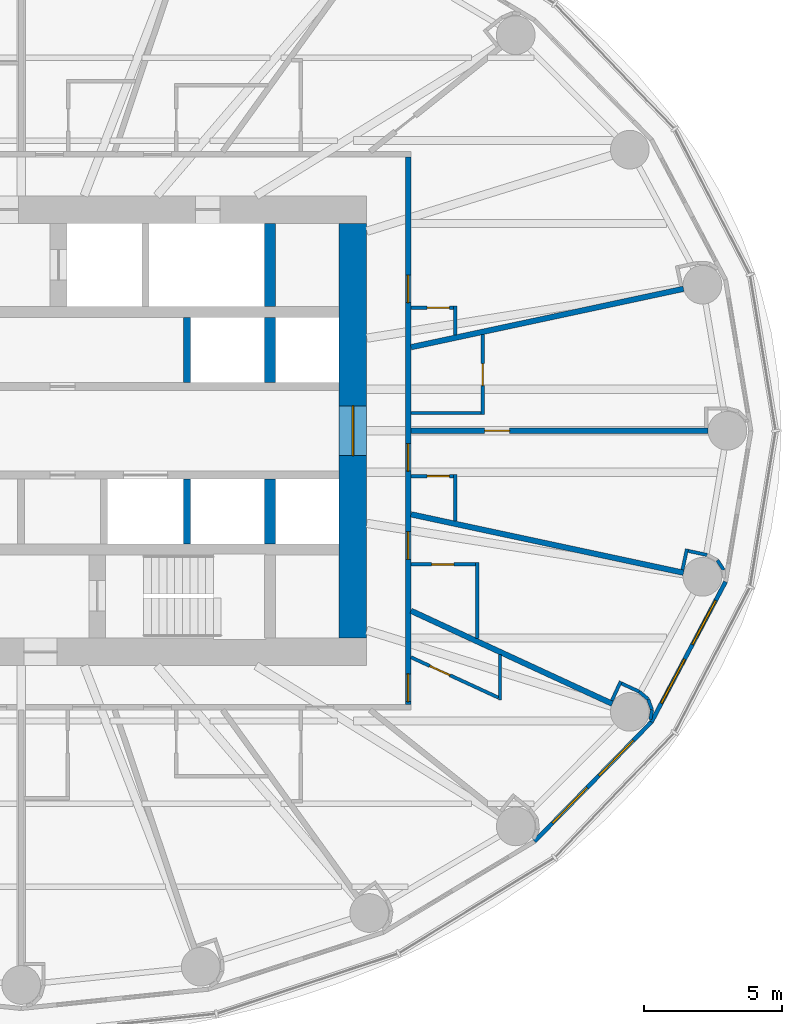
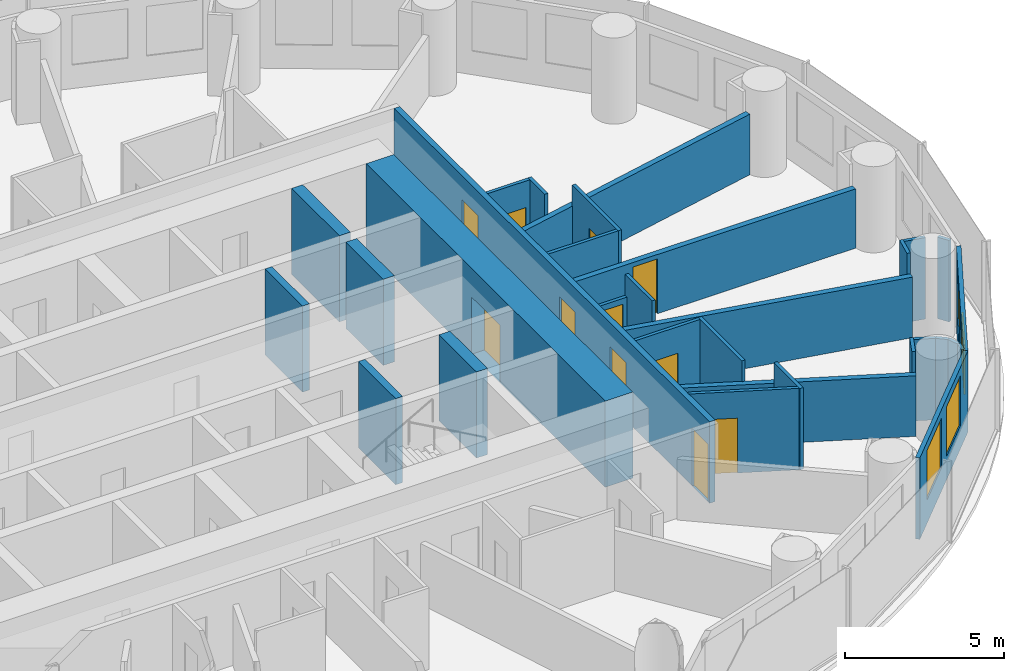
# One storey, part 10 of 14: 31 walls, 11 doors, 4 windows, 15 openings.
"""IFC4 building model written with IfcOpenShell, lengths in metres."""

from ifc_helpers import new_model, si_unit, direction, frame, frame_2d, origin, place, context, subcontext, project, spatial, rectangle, extrude, material, layer, layer_set, type_object, element, fill, save


model = new_model("IFC4")

# Units and contexts
model_context = context("Model", 3, precision=1e-05, world=origin(), true_north=direction((0.0, 1.0)))
body_context = subcontext(model_context, "Body", "Model", "MODEL_VIEW")
ifc_project = project(units=[si_unit("LENGTHUNIT", "METRE"), si_unit("AREAUNIT", "SQUARE_METRE"), si_unit("VOLUMEUNIT", "CUBIC_METRE"), si_unit("PLANEANGLEUNIT", "RADIAN"), si_unit("MASSUNIT", "GRAM", prefix="KILO")], contexts=[model_context])

# Site, building, storey
site_placement = place(None, origin())
site = spatial("IfcSite", under=ifc_project, at=site_placement, CompositionType="ELEMENT")
building_placement = place(site_placement, origin())
building = spatial("IfcBuilding", under=site, at=building_placement, Name="Hankou Lantern Tower", CompositionType="ELEMENT")
storey_placement = place(building_placement, frame((0.0, 0.0, 67.199951171875)))
storey = spatial("IfcBuildingStorey", under=building, at=storey_placement, Name="L16", CompositionType="ELEMENT", Elevation=67.199951171875)

# Wall, opening, door
ifc_material_1 = material(Name="Concrete C60", Category="concrete")
ifc_layer_1 = layer(ifc_material_1, 1.0)
ifc_layer_set_1 = layer_set([ifc_layer_1], Name="Concrete C60")
wall_type_1 = type_object("IfcWallType", Name="CW1 CORE WALL 1000", PredefinedType="SHEAR", material=ifc_layer_set_1)
wall_1_placement = place(storey_placement, frame((12.0, -7.5, 0.0), z_axis=(0.0, 0.0, 1.0), x_axis=(0.0, 1.0, 0.0)))
wall_1 = element("IfcWall", 1, at=wall_1_placement, inside=storey, type_object=wall_type_1, Name="Core wall east L16", PredefinedType="SHEAR", context=body_context, shape_type="SweptSolid", body=[
    extrude(rectangle(XDim=15.0, YDim=1.0, at=frame_2d((7.5, 0.0))), origin(), (0.0, 0.0, 1.0), 3.300048828125),
])
opening_1_placement = place(wall_1_placement, frame((6.60009765625, 0.0, 0.0)))
opening_1 = element("IfcOpeningElement", 2, at=opening_1_placement, cuts=wall_1, Name="Opening D6", PredefinedType="OPENING", context=body_context, shape_type="SweptSolid", body=[
    extrude(rectangle(XDim=1.800048828125, YDim=2.199951171875, at=frame_2d((0.89990234375, 1.10009765625))), frame((0.0, 0.510009765625, 0.0), z_axis=(0.0, -1.0, 0.0), x_axis=(1.0, 0.0, 0.0)), (0.0, 0.0, 1.0), 1.02001953125),
])
ifc_material_2 = material(Name="Steel door leaf", Category="steel")
door_type_1 = type_object("IfcDoorType", Name="D6 LIFT LOBBY DOOR 1800X2200", OperationType="DOUBLE_DOOR_DOUBLE_SWING", PredefinedType="DOOR", material=ifc_material_2)
door_1_placement = place(opening_1_placement, origin())
door_1 = element("IfcDoor", 3, at=door_1_placement, inside=storey, type_object=door_type_1, Name="Lift lobby east door", OperationType="DOUBLE_DOOR_DOUBLE_SWING", OverallHeight=2.199951171875, OverallWidth=1.800048828125, PredefinedType="DOOR", context=body_context, shape_type="SweptSolid", body=[
    extrude(rectangle(XDim=1.800048828125, YDim=2.199951171875, at=frame_2d((0.89990234375, 1.10009765625))), frame((0.0, 0.02490234375, 0.0), z_axis=(0.0, -1.0, 0.0), x_axis=(1.0, 0.0, 0.0)), (0.0, 0.0, 1.0), 0.050048828125),
])
fill(opening_1, door_1)

# Walls
ifc_material_3 = material(Name="Concrete C60", Category="concrete")
ifc_layer_2 = layer(ifc_material_3, 0.39990234375)
ifc_layer_set_2 = layer_set([ifc_layer_2], Name="Concrete C60")
wall_type_2 = type_object("IfcWallType", Name="CW4 CORE CROSS WALL 400", PredefinedType="SHEAR", material=ifc_layer_set_2)
wall_2_placement = place(storey_placement, frame((9.0, 4.5, 0.0), z_axis=(0.0, 0.0, 1.0), x_axis=(0.0, 1.0, 0.0)))
element("IfcWall", 4, at=wall_2_placement, inside=storey, type_object=wall_type_2, Name="Core strip wall L16", PredefinedType="SHEAR", context=body_context, shape_type="SweptSolid", body=[
    extrude(rectangle(XDim=3.0, YDim=0.39990234375, at=frame_2d((1.5, 0.0))), origin(), (0.0, 0.0, 1.0), 3.300048828125),
])
for number, where, z_axis, x_axis, name in (
    (5, (9.0, 1.75, 0.0), (0.0, 0.0, 1.0), (0.0, 1.0, 0.0), "Core strip wall L16"),
    (6, (9.0, -4.10009765625, 0.0), (0.0, 0.0, 1.0), (0.0, 1.0, 0.0), "Core strip wall L16"),
):
    element("IfcWall", number, at=place(storey_placement, frame(where, z_axis=z_axis, x_axis=x_axis)), inside=storey, type_object=wall_type_2, Name=name, PredefinedType="SHEAR", context=body_context, shape_type="SweptSolid", body=[
        extrude(rectangle(XDim=2.35009765625, YDim=0.39990234375, at=frame_2d((1.175048828125, 0.0))), origin(), (0.0, 0.0, 1.0), 3.300048828125),
    ])

# Wall, openings, windows
ifc_material_4 = material(Name="Aluminium spandrel panel on steel studs", Category="steel")
ifc_layer_3 = layer(ifc_material_4, 0.14990234375)
ifc_layer_set_3 = layer_set([ifc_layer_3], Name="Aluminium spandrel panel on steel studs")
wall_type_3 = type_object("IfcWallType", Name="EW1 INNER SKIN WALL 150", PredefinedType="ELEMENTEDWALL", material=ifc_layer_set_3)
wall_3_placement = place(storey_placement, frame((18.569580078125, -14.855712890625, 0.0), z_axis=(0.0, 0.0, 1.0), x_axis=(0.699602905915, 0.714531856557, 0.0)))
wall_3 = element("IfcWall", 7, at=wall_3_placement, inside=storey, type_object=wall_type_3, Name="Inner skin R22-R23 L16", PredefinedType="ELEMENTEDWALL", context=body_context, shape_type="SweptSolid", body=[
    extrude(rectangle(XDim=6.05078125, YDim=0.14990234375, at=frame_2d((3.025390625, 0.0))), origin(), (0.0, 0.0, 1.0), 3.1201171875),
])
opening_2_placement = place(wall_3_placement, frame((0.925537109375, 0.0, 0.89990234375)))
opening_2 = element("IfcOpeningElement", 8, at=opening_2_placement, cuts=wall_3, Name="Opening W1", PredefinedType="OPENING", context=body_context, shape_type="SweptSolid", body=[
    extrude(rectangle(XDim=1.800048828125, YDim=1.89990234375, at=frame_2d((0.89990234375, 0.949951171875))), frame((0.0, 0.0849609375, 0.0), z_axis=(0.0, -1.0, 0.0), x_axis=(1.0, 0.0, 0.0)), (0.0, 0.0, 1.0), 0.169921875),
])
opening_3_placement = place(wall_3_placement, frame((3.325439453125, 0.0, 0.89990234375)))
opening_3 = element("IfcOpeningElement", 9, at=opening_3_placement, cuts=wall_3, Name="Opening W1", PredefinedType="OPENING", context=body_context, shape_type="SweptSolid", body=[
    extrude(rectangle(XDim=1.800048828125, YDim=1.89990234375, at=frame_2d((0.89990234375, 0.949951171875))), frame((0.0, 0.0849609375, 0.0), z_axis=(0.0, -1.0, 0.0), x_axis=(1.0, 0.0, 0.0)), (0.0, 0.0, 1.0), 0.169921875),
])
ifc_material_5 = material(Name="Aluminium framed double glazed window", Category="aluminium")
window_type = type_object("IfcWindowType", Name="W1 GUEST ROOM WINDOW 1800X1900", PartitioningType="DOUBLE_PANEL_VERTICAL", PredefinedType="WINDOW", material=ifc_material_5)
window_1_placement = place(opening_2_placement, origin())
window_1 = element("IfcWindow", 10, at=window_1_placement, inside=storey, type_object=window_type, Name="Window R22.1 L16", OverallHeight=1.89990234375, OverallWidth=1.800048828125, PartitioningType="SINGLE_PANEL", PredefinedType="WINDOW", context=body_context, shape_type="SweptSolid", body=[
    extrude(rectangle(XDim=1.800048828125, YDim=1.89990234375, at=frame_2d((0.89990234375, 0.949951171875))), frame((0.0, 0.030029296875, 0.0), z_axis=(0.0, -1.0, 0.0), x_axis=(1.0, 0.0, 0.0)), (0.0, 0.0, 1.0), 0.06005859375),
])
fill(opening_2, window_1)
window_2_placement = place(opening_3_placement, origin())
window_2 = element("IfcWindow", 11, at=window_2_placement, inside=storey, type_object=window_type, Name="Window R22.2 L16", OverallHeight=1.89990234375, OverallWidth=1.800048828125, PartitioningType="SINGLE_PANEL", PredefinedType="WINDOW", context=body_context, shape_type="SweptSolid", body=[
    extrude(rectangle(XDim=1.800048828125, YDim=1.89990234375, at=frame_2d((0.89990234375, 0.949951171875))), frame((0.0, 0.030029296875, 0.0), z_axis=(0.0, -1.0, 0.0), x_axis=(1.0, 0.0, 0.0)), (0.0, 0.0, 1.0), 0.06005859375),
])
fill(opening_3, window_2)

wall_4_placement = place(storey_placement, frame((22.802734375, -10.5322265625, 0.0), z_axis=(0.0, 0.0, 1.0), x_axis=(0.467296867008, 0.884100468321, 0.0)))
wall_4 = element("IfcWall", 12, at=wall_4_placement, inside=storey, type_object=wall_type_3, Name="Inner skin R23-R24 L16", PredefinedType="ELEMENTEDWALL", context=body_context, shape_type="SweptSolid", body=[
    extrude(rectangle(XDim=5.734375, YDim=0.14990234375, at=frame_2d((2.8671875, 0.0))), origin(), (0.0, 0.0, 1.0), 3.1201171875),
])
opening_4_placement = place(wall_4_placement, frame((0.76708984375, 0.0, 0.89990234375)))
opening_4 = element("IfcOpeningElement", 13, at=opening_4_placement, cuts=wall_4, Name="Opening W1", PredefinedType="OPENING", context=body_context, shape_type="SweptSolid", body=[
    extrude(rectangle(XDim=1.800048828125, YDim=1.89990234375, at=frame_2d((0.89990234375, 0.949951171875))), frame((0.0, 0.0849609375, 0.0), z_axis=(0.0, -1.0, 0.0), x_axis=(1.0, 0.0, 0.0)), (0.0, 0.0, 1.0), 0.169921875),
])
opening_5_placement = place(wall_4_placement, frame((3.167236328125, 0.0, 0.89990234375)))
opening_5 = element("IfcOpeningElement", 14, at=opening_5_placement, cuts=wall_4, Name="Opening W1", PredefinedType="OPENING", context=body_context, shape_type="SweptSolid", body=[
    extrude(rectangle(XDim=1.800048828125, YDim=1.89990234375, at=frame_2d((0.89990234375, 0.949951171875))), frame((0.0, 0.0849609375, 0.0), z_axis=(0.0, -1.0, 0.0), x_axis=(1.0, 0.0, 0.0)), (0.0, 0.0, 1.0), 0.169921875),
])
window_3_placement = place(opening_4_placement, origin())
window_3 = element("IfcWindow", 15, at=window_3_placement, inside=storey, type_object=window_type, Name="Window R23.1 L16", OverallHeight=1.89990234375, OverallWidth=1.800048828125, PartitioningType="SINGLE_PANEL", PredefinedType="WINDOW", context=body_context, shape_type="SweptSolid", body=[
    extrude(rectangle(XDim=1.800048828125, YDim=1.89990234375, at=frame_2d((0.89990234375, 0.949951171875))), frame((0.0, 0.030029296875, 0.0), z_axis=(0.0, -1.0, 0.0), x_axis=(1.0, 0.0, 0.0)), (0.0, 0.0, 1.0), 0.06005859375),
])
fill(opening_4, window_3)
window_4_placement = place(opening_5_placement, origin())
window_4 = element("IfcWindow", 16, at=window_4_placement, inside=storey, type_object=window_type, Name="Window R23.2 L16", OverallHeight=1.89990234375, OverallWidth=1.800048828125, PartitioningType="SINGLE_PANEL", PredefinedType="WINDOW", context=body_context, shape_type="SweptSolid", body=[
    extrude(rectangle(XDim=1.800048828125, YDim=1.89990234375, at=frame_2d((0.89990234375, 0.949951171875))), frame((0.0, 0.030029296875, 0.0), z_axis=(0.0, -1.0, 0.0), x_axis=(1.0, 0.0, 0.0)), (0.0, 0.0, 1.0), 0.06005859375),
])
fill(opening_5, window_4)

# Walls
ifc_material_6 = material(Name="Masonry lightweight concrete block", Category="masonry")
ifc_layer_4 = layer(ifc_material_6, 0.199951171875)
ifc_layer_set_4 = layer_set([ifc_layer_4], Name="Masonry lightweight concrete block")
wall_type_4 = type_object("IfcWallType", Name="IW1 GUEST ROOM PARTY WALL 200", PredefinedType="PARTITIONING", material=ifc_layer_set_4)
wall_5_placement = place(storey_placement, frame((14.10009765625, 3.0224609375, 0.0), z_axis=(0.0, 0.0, 1.0), x_axis=(0.977790014929, 0.209586943072, 0.0)))
element("IfcWall", 17, at=wall_5_placement, inside=storey, type_object=wall_type_4, Name="Party wall R02", PredefinedType="PARTITIONING", context=body_context, shape_type="SweptSolid", body=[
    extrude(rectangle(XDim=10.086669921875, YDim=0.199951171875, at=frame_2d((5.04345703125, 0.0))), origin(), (0.0, 0.0, 1.0), 2.320068359375),
])
wall_6_placement = place(storey_placement, frame((14.10009765625, -6.512451171875, 0.0), z_axis=(0.0, 0.0, 1.0), x_axis=(0.907832871056, -0.419332181247, 0.0)))
element("IfcWall", 18, at=wall_6_placement, inside=storey, type_object=wall_type_4, Name="Party wall R23", PredefinedType="PARTITIONING", context=body_context, shape_type="SweptSolid", body=[
    extrude(rectangle(XDim=8.02294921875, YDim=0.199951171875, at=frame_2d((4.011474609375, 0.0))), origin(), (0.0, 0.0, 1.0), 2.320068359375),
])
wall_7_placement = place(storey_placement, frame((14.10009765625, -3.0224609375, 0.0), z_axis=(0.0, 0.0, 1.0), x_axis=(0.977790014929, -0.209586943072, 0.0)))
element("IfcWall", 19, at=wall_7_placement, inside=storey, type_object=wall_type_4, Name="Party wall R24", PredefinedType="PARTITIONING", context=body_context, shape_type="SweptSolid", body=[
    extrude(rectangle(XDim=10.086669921875, YDim=0.199951171875, at=frame_2d((5.04345703125, 0.0))), origin(), (0.0, 0.0, 1.0), 2.320068359375),
])

# Wall, openings, doors
ifc_material_7 = material(Name="Masonry lightweight concrete block", Category="masonry")
ifc_layer_5 = layer(ifc_material_7, 0.199951171875)
ifc_layer_set_5 = layer_set([ifc_layer_5], Name="Masonry lightweight concrete block")
wall_type_5 = type_object("IfcWallType", Name="IW2 CORRIDOR WALL 200", PredefinedType="PARTITIONING", material=ifc_layer_set_5)
wall_8_placement = place(storey_placement, frame((14.0, -9.89990234375, 0.0), z_axis=(0.0, 0.0, 1.0), x_axis=(0.0, 1.0, 0.0)))
wall_8 = element("IfcWall", 20, at=wall_8_placement, inside=storey, type_object=wall_type_5, Name="Corridor wall east", PredefinedType="PARTITIONING", context=body_context, shape_type="SweptSolid", body=[
    extrude(rectangle(XDim=19.7998046875, YDim=0.199951171875, at=frame_2d((9.89990234375, 0.0))), origin(), (0.0, 0.0, 1.0), 3.1201171875),
])
opening_6_placement = place(wall_8_placement, frame((0.1025390625, 0.0, 0.0)))
opening_6 = element("IfcOpeningElement", 21, at=opening_6_placement, cuts=wall_8, Name="Opening D1", PredefinedType="OPENING", context=body_context, shape_type="SweptSolid", body=[
    extrude(rectangle(XDim=1.0, YDim=2.199951171875, at=frame_2d((0.5, 1.10009765625))), frame((0.0, 0.10986328125, 0.0), z_axis=(0.0, -1.0, 0.0), x_axis=(1.0, 0.0, 0.0)), (0.0, 0.0, 1.0), 0.219970703125),
])
opening_7_placement = place(wall_8_placement, frame((5.24755859375, 0.0, 0.0)))
opening_7 = element("IfcOpeningElement", 22, at=opening_7_placement, cuts=wall_8, Name="Opening D1", PredefinedType="OPENING", context=body_context, shape_type="SweptSolid", body=[
    extrude(rectangle(XDim=1.0, YDim=2.199951171875, at=frame_2d((0.5, 1.10009765625))), frame((0.0, 0.10986328125, 0.0), z_axis=(0.0, -1.0, 0.0), x_axis=(1.0, 0.0, 0.0)), (0.0, 0.0, 1.0), 0.219970703125),
])
opening_8_placement = place(wall_8_placement, frame((8.4375, 0.0, 0.0)))
opening_8 = element("IfcOpeningElement", 23, at=opening_8_placement, cuts=wall_8, Name="Opening D2", PredefinedType="OPENING", context=body_context, shape_type="SweptSolid", body=[
    extrude(rectangle(XDim=1.0, YDim=2.199951171875, at=frame_2d((0.5, 1.10009765625))), frame((0.0, 0.10986328125, 0.0), z_axis=(0.0, -1.0, 0.0), x_axis=(1.0, 0.0, 0.0)), (0.0, 0.0, 1.0), 0.219970703125),
])
opening_9_placement = place(wall_8_placement, frame((14.532470703125, 0.0, 0.0)))
opening_9 = element("IfcOpeningElement", 24, at=opening_9_placement, cuts=wall_8, Name="Opening D2", PredefinedType="OPENING", context=body_context, shape_type="SweptSolid", body=[
    extrude(rectangle(XDim=1.0, YDim=2.199951171875, at=frame_2d((0.5, 1.10009765625))), frame((0.0, 0.10986328125, 0.0), z_axis=(0.0, -1.0, 0.0), x_axis=(1.0, 0.0, 0.0)), (0.0, 0.0, 1.0), 0.219970703125),
])
ifc_material_8 = material(Name="Steel door leaf", Category="steel")
door_type_2 = type_object("IfcDoorType", Name="D1 GUEST ROOM DOOR 1000X2200", OperationType="SINGLE_SWING_LEFT", PredefinedType="DOOR", material=ifc_material_8)
door_2_placement = place(opening_6_placement, origin())
door_2 = element("IfcDoor", 25, at=door_2_placement, inside=storey, type_object=door_type_2, Name="Guest room door 1601", OperationType="SINGLE_SWING_LEFT", OverallHeight=2.199951171875, OverallWidth=1.0, PredefinedType="DOOR", context=body_context, shape_type="SweptSolid", body=[
    extrude(rectangle(XDim=1.0, YDim=2.199951171875, at=frame_2d((0.5, 1.10009765625))), frame((0.0, 0.02490234375, 0.0), z_axis=(0.0, -1.0, 0.0), x_axis=(1.0, 0.0, 0.0)), (0.0, 0.0, 1.0), 0.050048828125),
])
fill(opening_6, door_2)
door_3_placement = place(opening_7_placement, origin())
door_3 = element("IfcDoor", 26, at=door_3_placement, inside=storey, type_object=door_type_2, Name="Guest room door 1602", OperationType="SINGLE_SWING_LEFT", OverallHeight=2.199951171875, OverallWidth=1.0, PredefinedType="DOOR", context=body_context, shape_type="SweptSolid", body=[
    extrude(rectangle(XDim=1.0, YDim=2.199951171875, at=frame_2d((0.5, 1.10009765625))), frame((0.0, 0.02490234375, 0.0), z_axis=(0.0, -1.0, 0.0), x_axis=(1.0, 0.0, 0.0)), (0.0, 0.0, 1.0), 0.050048828125),
])
fill(opening_7, door_3)
ifc_material_9 = material(Name="Steel door leaf", Category="steel")
door_type_3 = type_object("IfcDoorType", Name="D2 SUITE DOOR 1000X2200", OperationType="SINGLE_SWING_LEFT", PredefinedType="DOOR", material=ifc_material_9)
door_4_placement = place(opening_8_placement, origin())
door_4 = element("IfcDoor", 27, at=door_4_placement, inside=storey, type_object=door_type_3, Name="Suite door 1603C", OperationType="SINGLE_SWING_LEFT", OverallHeight=2.199951171875, OverallWidth=1.0, PredefinedType="DOOR", context=body_context, shape_type="SweptSolid", body=[
    extrude(rectangle(XDim=1.0, YDim=2.199951171875, at=frame_2d((0.5, 1.10009765625))), frame((0.0, 0.02490234375, 0.0), z_axis=(0.0, -1.0, 0.0), x_axis=(1.0, 0.0, 0.0)), (0.0, 0.0, 1.0), 0.050048828125),
])
fill(opening_8, door_4)
door_5_placement = place(opening_9_placement, origin())
door_5 = element("IfcDoor", 28, at=door_5_placement, inside=storey, type_object=door_type_3, Name="Suite door 1604C", OperationType="SINGLE_SWING_RIGHT", OverallHeight=2.199951171875, OverallWidth=1.0, PredefinedType="DOOR", context=body_context, shape_type="SweptSolid", body=[
    extrude(rectangle(XDim=1.0, YDim=2.199951171875, at=frame_2d((0.5, 1.10009765625))), frame((0.0, 0.02490234375, 0.0), z_axis=(0.0, -1.0, 0.0), x_axis=(1.0, 0.0, 0.0)), (0.0, 0.0, 1.0), 0.050048828125),
])
fill(opening_9, door_5)

# Wall
ifc_material_10 = material(Name="Masonry lightweight concrete block", Category="masonry")
ifc_layer_6 = layer(ifc_material_10, 0.1201171875)
ifc_layer_set_6 = layer_set([ifc_layer_6], Name="Masonry lightweight concrete block")
wall_type_6 = type_object("IfcWallType", Name="IW3 BATHROOM WALL 120", PredefinedType="PARTITIONING", material=ifc_layer_set_6)
wall_9_placement = place(storey_placement, frame((17.32275390625, -8.10107421875, 0.0), z_axis=(0.0, 0.0, 1.0), x_axis=(0.0, -1.0, 0.0)))
element("IfcWall", 29, at=wall_9_placement, inside=storey, type_object=wall_type_6, Name="Box wall 1601 1", PredefinedType="PARTITIONING", context=body_context, shape_type="SweptSolid", body=[
    extrude(rectangle(XDim=1.639892578125, YDim=0.1201171875, at=frame_2d((0.81982421875, 0.0))), origin(), (0.0, 0.0, 1.0), 3.1201171875),
])

# Wall, opening, door
wall_10_placement = place(storey_placement, frame((14.10009765625, -8.192626953125, 0.0), z_axis=(0.0, 0.0, 1.0), x_axis=(0.907836493557, -0.419324338628, 0.0)))
wall_10 = element("IfcWall", 30, at=wall_10_placement, inside=storey, type_object=wall_type_6, Name="Box wall 1601 1", PredefinedType="PARTITIONING", context=body_context, shape_type="SweptSolid", body=[
    extrude(rectangle(XDim=3.48974609375, YDim=0.1201171875, at=frame_2d((1.744873046875, 0.0))), origin(), (0.0, 0.0, 1.0), 3.1201171875),
])
opening_10_placement = place(wall_10_placement, frame((0.75, 0.0, 0.0)))
opening_10 = element("IfcOpeningElement", 31, at=opening_10_placement, cuts=wall_10, Name="Opening D3", PredefinedType="OPENING", context=body_context, shape_type="SweptSolid", body=[
    extrude(rectangle(XDim=0.800048828125, YDim=2.10009765625, at=frame_2d((0.39990234375, 1.050048828125))), frame((0.0, 0.070068359375, 0.0), z_axis=(0.0, -1.0, 0.0), x_axis=(1.0, 0.0, 0.0)), (0.0, 0.0, 1.0), 0.14013671875),
])
ifc_material_11 = material(Name="Timber door leaf", Category="wood")
door_type_4 = type_object("IfcDoorType", Name="D3 BATHROOM DOOR 800X2100", OperationType="SINGLE_SWING_LEFT", PredefinedType="DOOR", material=ifc_material_11)
door_6_placement = place(opening_10_placement, origin())
door_6 = element("IfcDoor", 32, at=door_6_placement, inside=storey, type_object=door_type_4, Name="En-suite bathroom 1601 door", OperationType="SINGLE_SWING_LEFT", OverallHeight=2.10009765625, OverallWidth=0.800048828125, PredefinedType="DOOR", context=body_context, shape_type="SweptSolid", body=[
    extrude(rectangle(XDim=0.800048828125, YDim=2.10009765625, at=frame_2d((0.39990234375, 1.050048828125))), frame((0.0, 0.02490234375, 0.0), z_axis=(0.0, -1.0, 0.0), x_axis=(1.0, 0.0, 0.0)), (0.0, 0.0, 1.0), 0.050048828125),
])
fill(opening_10, door_6)

# Wall
wall_11_placement = place(storey_placement, frame((16.5, -7.52099609375, 0.0), z_axis=(0.0, 0.0, 1.0), x_axis=(0.0, 1.0, 0.0)))
element("IfcWall", 33, at=wall_11_placement, inside=storey, type_object=wall_type_6, Name="Box wall 1602 1", PredefinedType="PARTITIONING", context=body_context, shape_type="SweptSolid", body=[
    extrude(rectangle(XDim=2.74853515625, YDim=0.1201171875, at=frame_2d((1.374267578125, 0.0))), origin(), (0.0, 0.0, 1.0), 3.1201171875),
])

# Wall, opening, door
wall_12_placement = place(storey_placement, frame((14.10009765625, -4.83251953125, 0.0), z_axis=(0.0, 0.0, 1.0), x_axis=(1.0, 0.0, 0.0)))
wall_12 = element("IfcWall", 34, at=wall_12_placement, inside=storey, type_object=wall_type_6, Name="Box wall 1602 1", PredefinedType="PARTITIONING", context=body_context, shape_type="SweptSolid", body=[
    extrude(rectangle(XDim=2.33984375, YDim=0.1201171875, at=frame_2d((1.169921875, 0.0))), origin(), (0.0, 0.0, 1.0), 3.1201171875),
])
opening_11_placement = place(wall_12_placement, frame((0.75, 0.0, 0.0)))
opening_11 = element("IfcOpeningElement", 35, at=opening_11_placement, cuts=wall_12, Name="Opening D3", PredefinedType="OPENING", context=body_context, shape_type="SweptSolid", body=[
    extrude(rectangle(XDim=0.800048828125, YDim=2.10009765625, at=frame_2d((0.39990234375, 1.050048828125))), frame((0.0, 0.070068359375, 0.0), z_axis=(0.0, -1.0, 0.0), x_axis=(1.0, 0.0, 0.0)), (0.0, 0.0, 1.0), 0.14013671875),
])
door_7_placement = place(opening_11_placement, origin())
door_7 = element("IfcDoor", 36, at=door_7_placement, inside=storey, type_object=door_type_4, Name="En-suite bathroom 1602 door", OperationType="SINGLE_SWING_LEFT", OverallHeight=2.10009765625, OverallWidth=0.800048828125, PredefinedType="DOOR", context=body_context, shape_type="SweptSolid", body=[
    extrude(rectangle(XDim=0.800048828125, YDim=2.10009765625, at=frame_2d((0.39990234375, 1.050048828125))), frame((0.0, 0.02490234375, 0.0), z_axis=(0.0, -1.0, 0.0), x_axis=(1.0, 0.0, 0.0)), (0.0, 0.0, 1.0), 0.050048828125),
])
fill(opening_11, door_7)

# Wall
wall_13_placement = place(storey_placement, frame((15.699951171875, -3.265380859375, 0.0), z_axis=(0.0, 0.0, 1.0), x_axis=(0.0, 1.0, 0.0)))
element("IfcWall", 37, at=wall_13_placement, inside=storey, type_object=wall_type_6, Name="Box wall 1603C 1", PredefinedType="PARTITIONING", context=body_context, shape_type="SweptSolid", body=[
    extrude(rectangle(XDim=1.682861328125, YDim=0.1201171875, at=frame_2d((0.84130859375, 0.0))), origin(), (0.0, 0.0, 1.0), 3.1201171875),
])

# Wall, opening, door
wall_14_placement = place(storey_placement, frame((14.10009765625, -1.642578125, 0.0), z_axis=(0.0, 0.0, 1.0), x_axis=(1.0, 0.0, 0.0)))
wall_14 = element("IfcWall", 38, at=wall_14_placement, inside=storey, type_object=wall_type_6, Name="Box wall 1603C 1", PredefinedType="PARTITIONING", context=body_context, shape_type="SweptSolid", body=[
    extrude(rectangle(XDim=1.539794921875, YDim=0.1201171875, at=frame_2d((0.77001953125, 0.0))), origin(), (0.0, 0.0, 1.0), 2.320068359375),
])
opening_12_placement = place(wall_14_placement, frame((0.590087890625, 0.0, 0.0)))
opening_12 = element("IfcOpeningElement", 39, at=opening_12_placement, cuts=wall_14, Name="Opening D3", PredefinedType="OPENING", context=body_context, shape_type="SweptSolid", body=[
    extrude(rectangle(XDim=0.800048828125, YDim=2.10009765625, at=frame_2d((0.39990234375, 1.050048828125))), frame((0.0, 0.070068359375, 0.0), z_axis=(0.0, -1.0, 0.0), x_axis=(1.0, 0.0, 0.0)), (0.0, 0.0, 1.0), 0.14013671875),
])
door_8_placement = place(opening_12_placement, origin())
door_8 = element("IfcDoor", 40, at=door_8_placement, inside=storey, type_object=door_type_4, Name="Suite 1603 guest WC door", OperationType="SINGLE_SWING_LEFT", OverallHeight=2.10009765625, OverallWidth=0.800048828125, PredefinedType="DOOR", context=body_context, shape_type="SweptSolid", body=[
    extrude(rectangle(XDim=0.800048828125, YDim=2.10009765625, at=frame_2d((0.39990234375, 1.050048828125))), frame((0.0, 0.02490234375, 0.0), z_axis=(0.0, -1.0, 0.0), x_axis=(1.0, 0.0, 0.0)), (0.0, 0.0, 1.0), 0.050048828125),
])
fill(opening_12, door_8)

wall_15_placement = place(storey_placement, frame((16.699951171875, 3.479736328125, 0.0), z_axis=(0.0, 0.0, 1.0), x_axis=(0.0, -1.0, 0.0)))
wall_15 = element("IfcWall", 41, at=wall_15_placement, inside=storey, type_object=wall_type_6, Name="Box wall 1603A 1", PredefinedType="PARTITIONING", context=body_context, shape_type="SweptSolid", body=[
    extrude(rectangle(XDim=2.897216796875, YDim=0.1201171875, at=frame_2d((1.44873046875, 0.0))), origin(), (0.0, 0.0, 1.0), 3.1201171875),
])
opening_13_placement = place(wall_15_placement, frame((1.048583984375, 0.0, 0.0)))
opening_13 = element("IfcOpeningElement", 42, at=opening_13_placement, cuts=wall_15, Name="Opening D3", PredefinedType="OPENING", context=body_context, shape_type="SweptSolid", body=[
    extrude(rectangle(XDim=0.800048828125, YDim=2.10009765625, at=frame_2d((0.39990234375, 1.050048828125))), frame((0.0, 0.070068359375, 0.0), z_axis=(0.0, -1.0, 0.0), x_axis=(1.0, 0.0, 0.0)), (0.0, 0.0, 1.0), 0.14013671875),
])
door_9_placement = place(opening_13_placement, origin())
door_9 = element("IfcDoor", 43, at=door_9_placement, inside=storey, type_object=door_type_4, Name="Suite 1603 bathroom door", OperationType="SINGLE_SWING_LEFT", OverallHeight=2.10009765625, OverallWidth=0.800048828125, PredefinedType="DOOR", context=body_context, shape_type="SweptSolid", body=[
    extrude(rectangle(XDim=0.800048828125, YDim=2.10009765625, at=frame_2d((0.39990234375, 1.050048828125))), frame((0.0, 0.02490234375, 0.0), z_axis=(0.0, -1.0, 0.0), x_axis=(1.0, 0.0, 0.0)), (0.0, 0.0, 1.0), 0.050048828125),
])
fill(opening_13, door_9)

# Walls
wall_16_placement = place(storey_placement, frame((14.10009765625, 0.642578125, 0.0), z_axis=(0.0, 0.0, 1.0), x_axis=(1.0, 0.0, 0.0)))
element("IfcWall", 44, at=wall_16_placement, inside=storey, type_object=wall_type_6, Name="Box wall 1603A 1", PredefinedType="PARTITIONING", context=body_context, shape_type="SweptSolid", body=[
    extrude(rectangle(XDim=2.539794921875, YDim=0.1201171875, at=frame_2d((1.27001953125, 0.0))), origin(), (0.0, 0.0, 1.0), 3.1201171875),
])
wall_17_placement = place(storey_placement, frame((15.699951171875, 3.46533203125, 0.0), z_axis=(0.0, 0.0, 1.0), x_axis=(0.0, 1.0, 0.0)))
element("IfcWall", 45, at=wall_17_placement, inside=storey, type_object=wall_type_6, Name="Box wall 1604C 1", PredefinedType="PARTITIONING", context=body_context, shape_type="SweptSolid", body=[
    extrude(rectangle(XDim=1.047119140625, YDim=0.1201171875, at=frame_2d((0.5234375, 0.0))), origin(), (0.0, 0.0, 1.0), 3.1201171875),
])

# Wall, opening, door
wall_18_placement = place(storey_placement, frame((14.10009765625, 4.452392578125, 0.0), z_axis=(0.0, 0.0, 1.0), x_axis=(1.0, 0.0, 0.0)))
wall_18 = element("IfcWall", 46, at=wall_18_placement, inside=storey, type_object=wall_type_6, Name="Box wall 1604C 1", PredefinedType="PARTITIONING", context=body_context, shape_type="SweptSolid", body=[
    extrude(rectangle(XDim=1.539794921875, YDim=0.1201171875, at=frame_2d((0.77001953125, 0.0))), origin(), (0.0, 0.0, 1.0), 3.1201171875),
])
opening_14_placement = place(wall_18_placement, frame((0.590087890625, 0.0, 0.0)))
opening_14 = element("IfcOpeningElement", 47, at=opening_14_placement, cuts=wall_18, Name="Opening D3", PredefinedType="OPENING", context=body_context, shape_type="SweptSolid", body=[
    extrude(rectangle(XDim=0.800048828125, YDim=2.10009765625, at=frame_2d((0.39990234375, 1.050048828125))), frame((0.0, 0.070068359375, 0.0), z_axis=(0.0, -1.0, 0.0), x_axis=(1.0, 0.0, 0.0)), (0.0, 0.0, 1.0), 0.14013671875),
])
door_10_placement = place(opening_14_placement, origin())
door_10 = element("IfcDoor", 48, at=door_10_placement, inside=storey, type_object=door_type_4, Name="Corner suite 1604 guest WC door", OperationType="SINGLE_SWING_LEFT", OverallHeight=2.10009765625, OverallWidth=0.800048828125, PredefinedType="DOOR", context=body_context, shape_type="SweptSolid", body=[
    extrude(rectangle(XDim=0.800048828125, YDim=2.10009765625, at=frame_2d((0.39990234375, 1.050048828125))), frame((0.0, 0.02490234375, 0.0), z_axis=(0.0, -1.0, 0.0), x_axis=(1.0, 0.0, 0.0)), (0.0, 0.0, 1.0), 0.050048828125),
])
fill(opening_14, door_10)

# Walls
ifc_material_12 = material(Name="Masonry lightweight concrete block", Category="masonry")
ifc_layer_7 = layer(ifc_material_12, 0.1201171875)
ifc_layer_set_7 = layer_set([ifc_layer_7], Name="Masonry lightweight concrete block")
wall_type_7 = type_object("IfcWallType", Name="IW4 PARTITION 120", PredefinedType="PARTITIONING", material=ifc_layer_set_7)
wall_19_placement = place(storey_placement, frame((21.37109375, -9.7607421875, 0.0), z_axis=(0.0, 0.0, 1.0), x_axis=(0.419259891039, 0.907866258744, 0.0)))
element("IfcWall", 49, at=wall_19_placement, inside=storey, type_object=wall_type_7, Name="Column casing R23 return", PredefinedType="PARTITIONING", context=body_context, shape_type="SweptSolid", body=[
    extrude(rectangle(XDim=0.767578125, YDim=0.1201171875, at=frame_2d((0.3837890625, 0.0))), origin(), (0.0, 0.0, 1.0), 3.1201171875),
])
wall_20_placement = place(storey_placement, frame((21.72216796875, -9.1435546875, 0.0), z_axis=(0.0, 0.0, 1.0), x_axis=(0.907877701396, -0.419235112208, 0.0)))
element("IfcWall", 50, at=wall_20_placement, inside=storey, type_object=wall_type_7, Name="Column casing R23", PredefinedType="PARTITIONING", context=body_context, shape_type="SweptSolid", body=[
    extrude(rectangle(XDim=0.699951171875, YDim=0.1201171875, at=frame_2d((0.35009765625, 0.0))), origin(), (0.0, 0.0, 1.0), 3.1201171875),
])
wall_21_placement = place(storey_placement, frame((22.357666015625, -9.43701171875, 0.0), z_axis=(0.0, 0.0, 1.0), x_axis=(0.768412687942, -0.639954639806, 0.0)))
element("IfcWall", 51, at=wall_21_placement, inside=storey, type_object=wall_type_7, Name="Column casing R23", PredefinedType="PARTITIONING", context=body_context, shape_type="SweptSolid", body=[
    extrude(rectangle(XDim=0.418212890625, YDim=0.1201171875, at=frame_2d((0.208984375, 0.0))), origin(), (0.0, 0.0, 1.0), 3.1201171875),
])
wall_22_placement = place(storey_placement, frame((22.678955078125, -9.70458984375, 0.0), z_axis=(0.0, 0.0, 1.0), x_axis=(0.345164001646, -0.938542386879, 0.0)))
element("IfcWall", 52, at=wall_22_placement, inside=storey, type_object=wall_type_7, Name="Column casing R23", PredefinedType="PARTITIONING", context=body_context, shape_type="SweptSolid", body=[
    extrude(rectangle(XDim=0.41796875, YDim=0.1201171875, at=frame_2d((0.208984375, 0.0))), origin(), (0.0, 0.0, 1.0), 3.1201171875),
])
wall_23_placement = place(storey_placement, frame((22.8232421875, -10.096923828125, 0.0), z_axis=(0.0, 0.0, 1.0), x_axis=(-0.169674995186, -0.985500074079, 0.0)))
element("IfcWall", 53, at=wall_23_placement, inside=storey, type_object=wall_type_7, Name="Column casing R23", PredefinedType="PARTITIONING", context=body_context, shape_type="SweptSolid", body=[
    extrude(rectangle(XDim=0.3525390625, YDim=0.1201171875, at=frame_2d((0.17626953125, 0.0))), origin(), (0.0, 0.0, 1.0), 3.1201171875),
])
wall_24_placement = place(storey_placement, frame((23.9248046875, -5.026123046875, 0.0), z_axis=(0.0, 0.0, 1.0), x_axis=(0.209681192172, 0.977769808109, 0.0)))
element("IfcWall", 54, at=wall_24_placement, inside=storey, type_object=wall_type_7, Name="Column casing R24 return", PredefinedType="PARTITIONING", context=body_context, shape_type="SweptSolid", body=[
    extrude(rectangle(XDim=0.767333984375, YDim=0.1201171875, at=frame_2d((0.3837890625, 0.0))), origin(), (0.0, 0.0, 1.0), 3.1201171875),
])
wall_25_placement = place(storey_placement, frame((24.1318359375, -4.346923828125, 0.0), z_axis=(0.0, 0.0, 1.0), x_axis=(0.977776882509, -0.209648200638, 0.0)))
element("IfcWall", 55, at=wall_25_placement, inside=storey, type_object=wall_type_7, Name="Column casing R24", PredefinedType="PARTITIONING", context=body_context, shape_type="SweptSolid", body=[
    extrude(rectangle(XDim=0.699951171875, YDim=0.1201171875, at=frame_2d((0.35009765625, 0.0))), origin(), (0.0, 0.0, 1.0), 3.1201171875),
])
wall_26_placement = place(storey_placement, frame((25.1884765625, -4.68408203125, 0.0), z_axis=(0.0, 0.0, 1.0), x_axis=(0.543057568894, -0.839695466742, 0.0)))
element("IfcWall", 56, at=wall_26_placement, inside=storey, type_object=wall_type_7, Name="Column casing R24", PredefinedType="PARTITIONING", context=body_context, shape_type="SweptSolid", body=[
    extrude(rectangle(XDim=0.418212890625, YDim=0.1201171875, at=frame_2d((0.208984375, 0.0))), origin(), (0.0, 0.0, 1.0), 3.1201171875),
])

# Wall, opening, door
ifc_material_13 = material(Name="Masonry lightweight concrete block", Category="masonry")
ifc_layer_8 = layer(ifc_material_13, 0.199951171875)
ifc_layer_set_8 = layer_set([ifc_layer_8], Name="Masonry lightweight concrete block")
wall_type_8 = type_object("IfcWallType", Name="IW6 SUITE PARTITION 200", PredefinedType="PARTITIONING", material=ifc_layer_set_8)
wall_27_placement = place(storey_placement, frame((14.10009765625, 0.0, 0.0), z_axis=(0.0, 0.0, 1.0), x_axis=(1.0, 0.0, 0.0)))
wall_27 = element("IfcWall", 57, at=wall_27_placement, inside=storey, type_object=wall_type_8, Name="Suite partition R01", PredefinedType="PARTITIONING", context=body_context, shape_type="SweptSolid", body=[
    extrude(rectangle(XDim=10.75, YDim=0.199951171875, at=frame_2d((5.375, 0.0))), origin(), (0.0, 0.0, 1.0), 2.27001953125),
])
opening_15_placement = place(wall_27_placement, frame((2.669921875, 0.0, 0.0)))
opening_15 = element("IfcOpeningElement", 58, at=opening_15_placement, cuts=wall_27, Name="Opening D27", PredefinedType="OPENING", context=body_context, shape_type="SweptSolid", body=[
    extrude(rectangle(XDim=0.89990234375, YDim=2.10009765625, at=frame_2d((0.449951171875, 1.050048828125))), frame((0.0, 0.10986328125, 0.0), z_axis=(0.0, -1.0, 0.0), x_axis=(1.0, 0.0, 0.0)), (0.0, 0.0, 1.0), 0.219970703125),
])
ifc_material_14 = material(Name="Timber door leaf", Category="wood")
door_type_5 = type_object("IfcDoorType", Name="D27 INTERNAL DOOR 900X2100", OperationType="SINGLE_SWING_LEFT", PredefinedType="DOOR", material=ifc_material_14)
door_11_placement = place(opening_15_placement, origin())
door_11 = element("IfcDoor", 59, at=door_11_placement, inside=storey, type_object=door_type_5, Name="Suite 1603 bedroom door", OperationType="SINGLE_SWING_LEFT", OverallHeight=2.10009765625, OverallWidth=0.89990234375, PredefinedType="DOOR", context=body_context, shape_type="SweptSolid", body=[
    extrude(rectangle(XDim=0.89990234375, YDim=2.10009765625, at=frame_2d((0.449951171875, 1.050048828125))), frame((0.0, 0.02490234375, 0.0), z_axis=(0.0, -1.0, 0.0), x_axis=(1.0, 0.0, 0.0)), (0.0, 0.0, 1.0), 0.050048828125),
])
fill(opening_15, door_11)

# Walls
ifc_material_15 = material(Name="Masonry autoclaved aerated concrete block", Category="masonry")
ifc_layer_9 = layer(ifc_material_15, 0.25)
ifc_layer_set_9 = layer_set([ifc_layer_9], Name="Masonry autoclaved aerated concrete block")
wall_type_9 = type_object("IfcWallType", Name="SW1 SHAFT BLOCK WALL 250", PredefinedType="PARTITIONING", material=ifc_layer_set_9)
for number, where, z_axis, x_axis, name in (
    (60, (6.0, 1.75, 0.0), (0.0, 0.0, 1.0), (0.0, 1.0, 0.0), "Lift shaft wall L16"),
    (61, (6.0, -4.10009765625, 0.0), (0.0, 0.0, 1.0), (0.0, 1.0, 0.0), "Lift shaft wall L16"),
):
    element("IfcWall", number, at=place(storey_placement, frame(where, z_axis=z_axis, x_axis=x_axis)), inside=storey, type_object=wall_type_9, Name=name, PredefinedType="PARTITIONING", context=body_context, shape_type="SweptSolid", body=[
        extrude(rectangle(XDim=2.35009765625, YDim=0.25, at=frame_2d((1.175048828125, 0.0))), origin(), (0.0, 0.0, 1.0), 3.300048828125),
    ])

save(model, "model.ifc")
